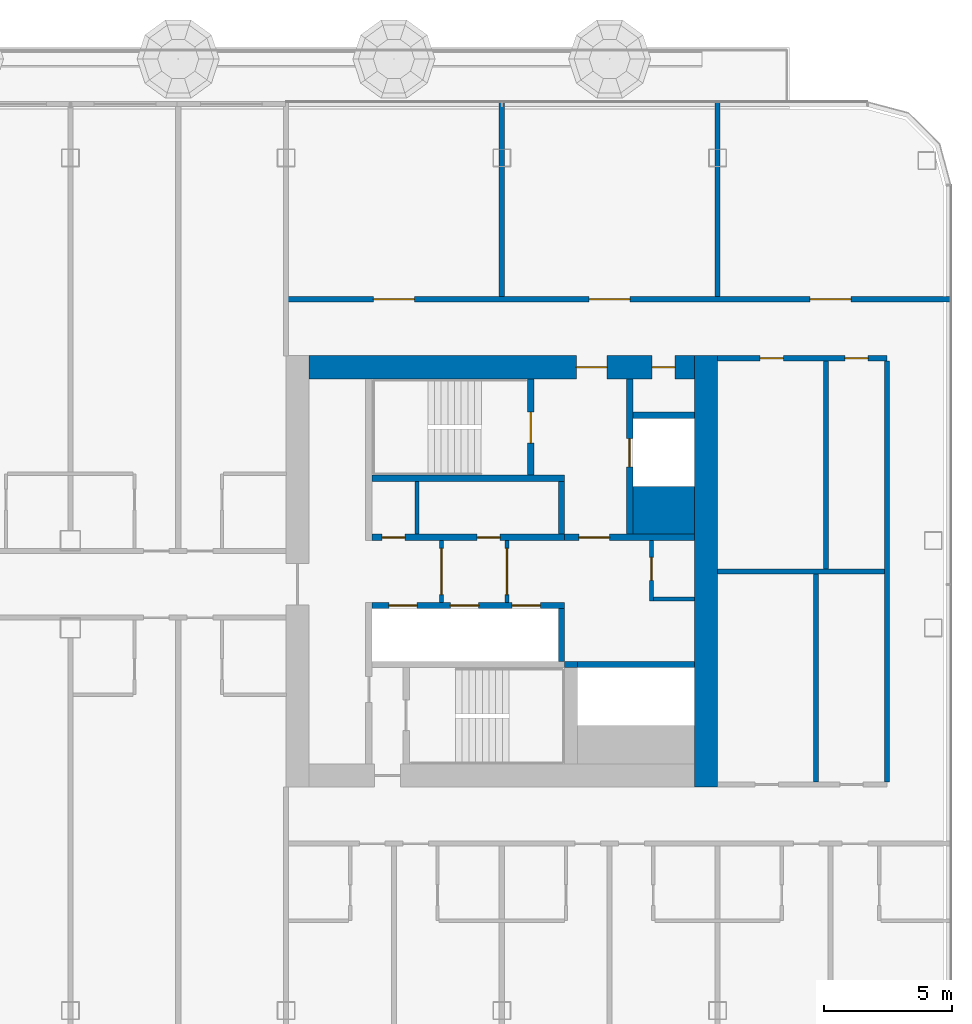
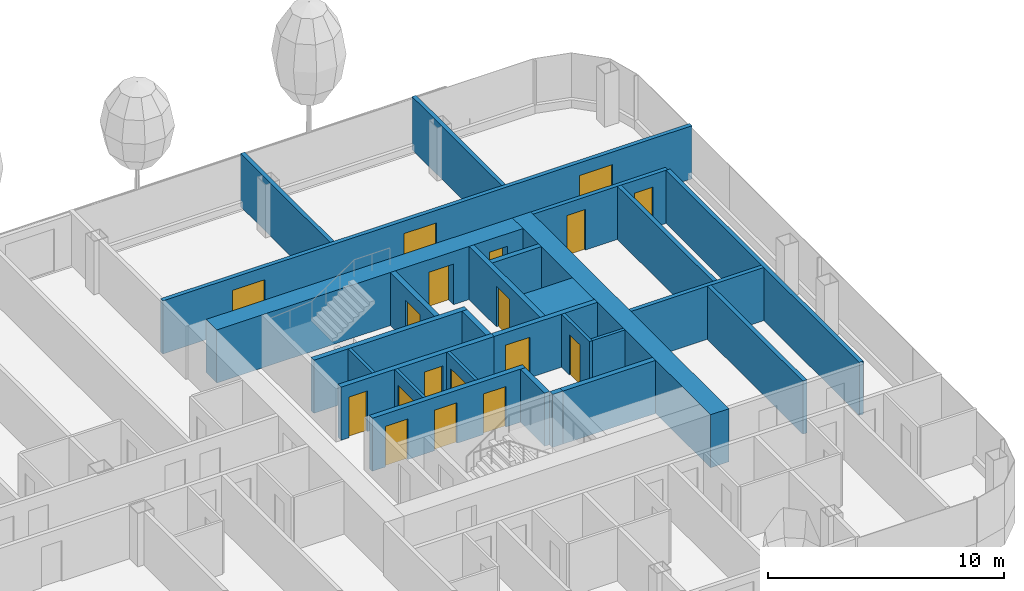
# One storey, part 18 of 32: 27 walls, 18 doors, 18 openings.
"""IFC4 building model written with IfcOpenShell, lengths in metres."""

from ifc_helpers import new_model, si_unit, direction, frame, frame_2d, origin, place, context, subcontext, project, spatial, rectangle, extrude, material, layer, layer_set, type_object, element, fill, save


model = new_model("IFC4")

# Units and contexts
model_context = context("Model", 3, precision=1e-05, world=origin(), true_north=direction((0.0, 1.0)))
body_context = subcontext(model_context, "Body", "Model", "MODEL_VIEW")
ifc_project = project(units=[si_unit("LENGTHUNIT", "METRE"), si_unit("AREAUNIT", "SQUARE_METRE"), si_unit("VOLUMEUNIT", "CUBIC_METRE"), si_unit("PLANEANGLEUNIT", "RADIAN"), si_unit("MASSUNIT", "GRAM", prefix="KILO")], contexts=[model_context])

# Site, building, storey
site_placement = place(None, origin())
site = spatial("IfcSite", under=ifc_project, at=site_placement, CompositionType="ELEMENT")
building_placement = place(site_placement, origin())
building = spatial("IfcBuilding", under=site, at=building_placement, Name="Hakoniwa Tower and Hamabe Station Hall", CompositionType="ELEMENT")
storey_placement = place(building_placement, frame((0.0, 0.0, 150.199951171875)))
storey = spatial("IfcBuildingStorey", under=building, at=storey_placement, Name="L42", CompositionType="ELEMENT", Elevation=150.199951171875)

# Wall, opening, door
ifc_material_1 = material(Name="Gypsum board partition")
ifc_layer_1 = layer(ifc_material_1, 0.14990234375)
ifc_layer_set_1 = layer_set([ifc_layer_1], Name="CORE PARTITION 150 EI 60")
wall_type_1 = type_object("IfcWallType", Name="CORE PARTITION 150 EI 60", PredefinedType="PARTITIONING", material=ifc_layer_set_1)
wall_1_placement = place(storey_placement, frame((22.85009765625, -1.199951171875, 0.0), z_axis=(0.0, 0.0, 1.0), x_axis=(0.0, 1.0, 0.0)))
wall_1 = element("IfcWall", 1, at=wall_1_placement, inside=storey, type_object=wall_type_1, Name="Core partition PL0 east", PredefinedType="PARTITIONING", context=body_context, shape_type="SweptSolid", body=[
    extrude(rectangle(XDim=2.39990234375, YDim=0.14990234375, at=frame_2d((1.199951171875, 0.0))), origin(), (0.0, 0.0, 1.0), 2.75),
])
opening_1_placement = place(wall_1_placement, frame((0.300048828125, 0.0, 0.0)))
opening_1 = element("IfcOpeningElement", 2, at=opening_1_placement, cuts=wall_1, Name="Opening CD-E-LP0-18", PredefinedType="OPENING", context=body_context, shape_type="SweptSolid", body=[
    extrude(rectangle(XDim=1.800048828125, YDim=2.10009765625, at=frame_2d((0.89990234375, 1.050048828125))), frame((0.0, 0.0849609375, 0.0), z_axis=(0.0, -1.0, 0.0), x_axis=(1.0, 0.0, 0.0)), (0.0, 0.0, 1.0), 0.169921875),
])
ifc_material_2 = material(Name="Steel fire door", Category="steel")
door_type_1 = type_object("IfcDoorType", Name="CORE DOOR 1800 FD60", OperationType="DOUBLE_DOOR_SINGLE_SWING", PredefinedType="DOOR", material=ifc_material_2)
door_1_placement = place(opening_1_placement, origin())
door_1 = element("IfcDoor", 3, at=door_1_placement, inside=storey, type_object=door_type_1, Name="Lift lobby partition door", OperationType="DOUBLE_DOOR_SINGLE_SWING", OverallHeight=2.10009765625, OverallWidth=1.800048828125, PredefinedType="DOOR", context=body_context, shape_type="SweptSolid", body=[
    extrude(rectangle(XDim=1.800048828125, YDim=2.10009765625, at=frame_2d((0.89990234375, 1.050048828125))), frame((0.0, 0.02490234375, 0.0), z_axis=(0.0, -1.0, 0.0), x_axis=(1.0, 0.0, 0.0)), (0.0, 0.0, 1.0), 0.050048828125),
])
fill(opening_1, door_1)

wall_2_placement = place(storey_placement, frame((25.39990234375, -1.199951171875, 0.0), z_axis=(0.0, 0.0, 1.0), x_axis=(0.0, 1.0, 0.0)))
wall_2 = element("IfcWall", 4, at=wall_2_placement, inside=storey, type_object=wall_type_1, Name="Core partition PL1 east", PredefinedType="PARTITIONING", context=body_context, shape_type="SweptSolid", body=[
    extrude(rectangle(XDim=2.39990234375, YDim=0.14990234375, at=frame_2d((1.199951171875, 0.0))), origin(), (0.0, 0.0, 1.0), 2.75),
])
opening_2_placement = place(wall_2_placement, frame((0.300048828125, 0.0, 0.0)))
opening_2 = element("IfcOpeningElement", 5, at=opening_2_placement, cuts=wall_2, Name="Opening CD-E-LP1-18", PredefinedType="OPENING", context=body_context, shape_type="SweptSolid", body=[
    extrude(rectangle(XDim=1.800048828125, YDim=2.10009765625, at=frame_2d((0.89990234375, 1.050048828125))), frame((0.0, 0.0849609375, 0.0), z_axis=(0.0, -1.0, 0.0), x_axis=(1.0, 0.0, 0.0)), (0.0, 0.0, 1.0), 0.169921875),
])
door_2_placement = place(opening_2_placement, origin())
door_2 = element("IfcDoor", 6, at=door_2_placement, inside=storey, type_object=door_type_1, Name="Lift lobby partition door", OperationType="DOUBLE_DOOR_SINGLE_SWING", OverallHeight=2.10009765625, OverallWidth=1.800048828125, PredefinedType="DOOR", context=body_context, shape_type="SweptSolid", body=[
    extrude(rectangle(XDim=1.800048828125, YDim=2.10009765625, at=frame_2d((0.89990234375, 1.050048828125))), frame((0.0, 0.02490234375, 0.0), z_axis=(0.0, -1.0, 0.0), x_axis=(1.0, 0.0, 0.0)), (0.0, 0.0, 1.0), 0.050048828125),
])
fill(opening_2, door_2)

wall_3_placement = place(storey_placement, frame((31.02490234375, -1.14990234375, 0.0), z_axis=(0.0, 0.0, 1.0), x_axis=(0.0, 1.0, 0.0)))
wall_3 = element("IfcWall", 7, at=wall_3_placement, inside=storey, type_object=wall_type_1, Name="Core partition PW0 east", PredefinedType="PARTITIONING", context=body_context, shape_type="SweptSolid", body=[
    extrude(rectangle(XDim=2.349853515625, YDim=0.14990234375, at=frame_2d((1.1748046875, 0.0))), origin(), (0.0, 0.0, 1.0), 2.75),
])
opening_3_placement = place(wall_3_placement, frame((0.800048828125, 0.0, 0.0)))
opening_3 = element("IfcOpeningElement", 8, at=opening_3_placement, cuts=wall_3, Name="Opening CD-E-RM1-9", PredefinedType="OPENING", context=body_context, shape_type="SweptSolid", body=[
    extrude(rectangle(XDim=0.89990234375, YDim=2.10009765625, at=frame_2d((0.449951171875, 1.050048828125))), frame((0.0, 0.0849609375, 0.0), z_axis=(0.0, -1.0, 0.0), x_axis=(1.0, 0.0, 0.0)), (0.0, 0.0, 1.0), 0.169921875),
])
ifc_material_3 = material(Name="Steel fire door", Category="steel")
door_type_2 = type_object("IfcDoorType", Name="CORE DOOR 900 FD30", OperationType="NOTDEFINED", PredefinedType="DOOR", material=ifc_material_3)
door_3_placement = place(opening_3_placement, origin())
door_3 = element("IfcDoor", 9, at=door_3_placement, inside=storey, type_object=door_type_2, Name="Store room door", OperationType="SINGLE_SWING_LEFT", OverallHeight=2.10009765625, OverallWidth=0.89990234375, PredefinedType="DOOR", context=body_context, shape_type="SweptSolid", body=[
    extrude(rectangle(XDim=0.89990234375, YDim=2.10009765625, at=frame_2d((0.449951171875, 1.050048828125))), frame((0.0, 0.02490234375, 0.0), z_axis=(0.0, -1.0, 0.0), x_axis=(1.0, 0.0, 0.0)), (0.0, 0.0, 1.0), 0.050048828125),
])
fill(opening_3, door_3)

# Walls
wall_4_placement = place(storey_placement, frame((31.10009765625, -1.074951171875, 0.0), z_axis=(0.0, 0.0, 1.0), x_axis=(1.0, 0.0, 0.0)))
element("IfcWall", 10, at=wall_4_placement, inside=storey, type_object=wall_type_1, Name="Core partition PS east", PredefinedType="PARTITIONING", context=body_context, shape_type="SweptSolid", body=[
    extrude(rectangle(XDim=1.599853515625, YDim=0.14990234375, at=frame_2d((0.7998046875, 0.0))), origin(), (0.0, 0.0, 1.0), 2.75),
])
wall_5_placement = place(storey_placement, frame((21.89990234375, 1.449951171875, 0.0), z_axis=(0.0, 0.0, 1.0), x_axis=(0.0, 1.0, 0.0)))
element("IfcWall", 11, at=wall_5_placement, inside=storey, type_object=wall_type_1, Name="Core partition PFLR0 east", PredefinedType="PARTITIONING", context=body_context, shape_type="SweptSolid", body=[
    extrude(rectangle(XDim=2.050048828125, YDim=0.14990234375, at=frame_2d((1.02490234375, 0.0))), origin(), (0.0, 0.0, 1.0), 2.75),
])
ifc_material_4 = material(Name="Concrete C66", Category="concrete")
ifc_layer_2 = layer(ifc_material_4, 0.89990234375)
ifc_layer_set_2 = layer_set([ifc_layer_2], Name="CORE WALL 900 C66")
wall_type_2 = type_object("IfcWallType", Name="CORE WALL 900 C66", PredefinedType="SHEAR", material=ifc_layer_set_2)
wall_6_placement = place(storey_placement, frame((33.14990234375, -8.39990234375, 0.0), z_axis=(0.0, 0.0, 1.0), x_axis=(0.0, 1.0, 0.0)))
element("IfcWall", 12, at=wall_6_placement, inside=storey, type_object=wall_type_2, Name="Core wall OUTER east", PredefinedType="SHEAR", context=body_context, shape_type="SweptSolid", body=[
    extrude(rectangle(XDim=16.7998046875, YDim=0.89990234375, at=frame_2d((8.39990234375, 0.0))), origin(), (0.0, 0.0, 1.0), 2.75),
])

# Wall, openings, doors
wall_7_placement = place(storey_placement, frame((17.699951171875, 7.949951171875, 0.0), z_axis=(0.0, 0.0, 1.0), x_axis=(1.0, 0.0, 0.0)))
wall_7 = element("IfcWall", 13, at=wall_7_placement, inside=storey, type_object=wall_type_2, Name="Core wall NORTH east", PredefinedType="SHEAR", context=body_context, shape_type="SweptSolid", body=[
    extrude(rectangle(XDim=15.0, YDim=0.89990234375, at=frame_2d((7.5, 0.0))), origin(), (0.0, 0.0, 1.0), 2.75),
])
opening_4_placement = place(wall_7_placement, frame((10.39990234375, 0.0, 0.0)))
opening_4 = element("IfcOpeningElement", 14, at=opening_4_placement, cuts=wall_7, Name="Opening CD-E-FN1-12", PredefinedType="OPENING", context=body_context, shape_type="SweptSolid", body=[
    extrude(rectangle(XDim=1.199951171875, YDim=2.10009765625, at=frame_2d((0.60009765625, 1.050048828125))), frame((0.0, 0.4599609375, 0.0), z_axis=(0.0, -1.0, 0.0), x_axis=(1.0, 0.0, 0.0)), (0.0, 0.0, 1.0), 0.919921875),
])
opening_5_placement = place(wall_7_placement, frame((13.35009765625, 0.0, 0.0)))
opening_5 = element("IfcOpeningElement", 15, at=opening_5_placement, cuts=wall_7, Name="Opening CD-E-FN2-9", PredefinedType="OPENING", context=body_context, shape_type="SweptSolid", body=[
    extrude(rectangle(XDim=0.89990234375, YDim=2.10009765625, at=frame_2d((0.449951171875, 1.050048828125))), frame((0.0, 0.4599609375, 0.0), z_axis=(0.0, -1.0, 0.0), x_axis=(1.0, 0.0, 0.0)), (0.0, 0.0, 1.0), 0.919921875),
])
ifc_material_5 = material(Name="Steel fire door", Category="steel")
door_type_3 = type_object("IfcDoorType", Name="CORE DOOR 1200 FD60", OperationType="DOUBLE_DOOR_SINGLE_SWING", PredefinedType="DOOR", material=ifc_material_5)
door_4_placement = place(opening_4_placement, origin())
door_4 = element("IfcDoor", 16, at=door_4_placement, inside=storey, type_object=door_type_3, Name="Stair vestibule door to the fire-fighting lobby", OperationType="DOUBLE_DOOR_SINGLE_SWING", OverallHeight=2.10009765625, OverallWidth=1.199951171875, PredefinedType="DOOR", context=body_context, shape_type="SweptSolid", body=[
    extrude(rectangle(XDim=1.199951171875, YDim=2.10009765625, at=frame_2d((0.60009765625, 1.050048828125))), frame((0.0, 0.02490234375, 0.0), z_axis=(0.0, -1.0, 0.0), x_axis=(1.0, 0.0, 0.0)), (0.0, 0.0, 1.0), 0.050048828125),
])
fill(opening_4, door_4)
door_5_placement = place(opening_5_placement, origin())
door_5 = element("IfcDoor", 17, at=door_5_placement, inside=storey, type_object=door_type_2, Name="Riser access door", OperationType="SINGLE_SWING_LEFT", OverallHeight=2.10009765625, OverallWidth=0.89990234375, PredefinedType="DOOR", context=body_context, shape_type="SweptSolid", body=[
    extrude(rectangle(XDim=0.89990234375, YDim=2.10009765625, at=frame_2d((0.449951171875, 1.050048828125))), frame((0.0, 0.02490234375, 0.0), z_axis=(0.0, -1.0, 0.0), x_axis=(1.0, 0.0, 0.0)), (0.0, 0.0, 1.0), 0.050048828125),
])
fill(opening_5, door_5)

# Wall
ifc_material_6 = material(Name="Concrete C66", Category="concrete")
ifc_layer_3 = layer(ifc_material_6, 1.85009765625)
ifc_layer_set_3 = layer_set([ifc_layer_3], Name="CORE WEB WALL 1850 C66")
wall_type_3 = type_object("IfcWallType", Name="CORE WEB WALL 1850 C66", PredefinedType="SHEAR", material=ifc_layer_set_3)
wall_8_placement = place(storey_placement, frame((30.300048828125, 2.375, 0.0), z_axis=(0.0, 0.0, 1.0), x_axis=(1.0, 0.0, 0.0)))
element("IfcWall", 18, at=wall_8_placement, inside=storey, type_object=wall_type_3, Name="Core wall CA east", PredefinedType="SHEAR", context=body_context, shape_type="SweptSolid", body=[
    extrude(rectangle(XDim=2.39990234375, YDim=1.85009765625, at=frame_2d((1.199951171875, 0.0))), origin(), (0.0, 0.0, 1.0), 2.75),
])

# Wall, openings, doors
ifc_material_7 = material(Name="Concrete C66", Category="concrete")
ifc_layer_4 = layer(ifc_material_7, 0.25)
ifc_layer_set_4 = layer_set([ifc_layer_4], Name="CORE WEB WALL 250 C66")
wall_type_4 = type_object("IfcWallType", Name="CORE WEB WALL 250 C66", PredefinedType="SHEAR", material=ifc_layer_set_4)
wall_9_placement = place(storey_placement, frame((20.14990234375, 1.324951171875, 0.0), z_axis=(0.0, 0.0, 1.0), x_axis=(1.0, 0.0, 0.0)))
wall_9 = element("IfcWall", 19, at=wall_9_placement, inside=storey, type_object=wall_type_4, Name="Core wall NF east", PredefinedType="SHEAR", context=body_context, shape_type="SweptSolid", body=[
    extrude(rectangle(XDim=7.5, YDim=0.25, at=frame_2d((3.75, 0.0))), origin(), (0.0, 0.0, 1.0), 2.75),
])
opening_6_placement = place(wall_9_placement, frame((0.387451171875, 0.0, 0.0)))
opening_6 = element("IfcOpeningElement", 20, at=opening_6_placement, cuts=wall_9, Name="Opening CD-E-FRLR0-9", PredefinedType="OPENING", context=body_context, shape_type="SweptSolid", body=[
    extrude(rectangle(XDim=0.89990234375, YDim=2.10009765625, at=frame_2d((0.449951171875, 1.050048828125))), frame((0.0, 0.135009765625, 0.0), z_axis=(0.0, -1.0, 0.0), x_axis=(1.0, 0.0, 0.0)), (0.0, 0.0, 1.0), 0.27001953125),
])
opening_7_placement = place(wall_9_placement, frame((4.08740234375, 0.0, 0.0)))
opening_7 = element("IfcOpeningElement", 21, at=opening_7_placement, cuts=wall_9, Name="Opening CD-E-FRLR1-9", PredefinedType="OPENING", context=body_context, shape_type="SweptSolid", body=[
    extrude(rectangle(XDim=0.89990234375, YDim=2.10009765625, at=frame_2d((0.449951171875, 1.050048828125))), frame((0.0, 0.135009765625, 0.0), z_axis=(0.0, -1.0, 0.0), x_axis=(1.0, 0.0, 0.0)), (0.0, 0.0, 1.0), 0.27001953125),
])
door_6_placement = place(opening_6_placement, origin())
door_6 = element("IfcDoor", 22, at=door_6_placement, inside=storey, type_object=door_type_2, Name="Store room door", OperationType="SINGLE_SWING_LEFT", OverallHeight=2.10009765625, OverallWidth=0.89990234375, PredefinedType="DOOR", context=body_context, shape_type="SweptSolid", body=[
    extrude(rectangle(XDim=0.89990234375, YDim=2.10009765625, at=frame_2d((0.449951171875, 1.050048828125))), frame((0.0, 0.02490234375, 0.0), z_axis=(0.0, -1.0, 0.0), x_axis=(1.0, 0.0, 0.0)), (0.0, 0.0, 1.0), 0.050048828125),
])
fill(opening_6, door_6)
door_7_placement = place(opening_7_placement, origin())
door_7 = element("IfcDoor", 23, at=door_7_placement, inside=storey, type_object=door_type_2, Name="Store room door", OperationType="SINGLE_SWING_RIGHT", OverallHeight=2.10009765625, OverallWidth=0.89990234375, PredefinedType="DOOR", context=body_context, shape_type="SweptSolid", body=[
    extrude(rectangle(XDim=0.89990234375, YDim=2.10009765625, at=frame_2d((0.449951171875, 1.050048828125))), frame((0.0, 0.02490234375, 0.0), z_axis=(0.0, -1.0, 0.0), x_axis=(1.0, 0.0, 0.0)), (0.0, 0.0, 1.0), 0.050048828125),
])
fill(opening_7, door_7)

# Walls
wall_10_placement = place(storey_placement, frame((27.52490234375, 1.449951171875, 0.0), z_axis=(0.0, 0.0, 1.0), x_axis=(0.0, 1.0, 0.0)))
element("IfcWall", 24, at=wall_10_placement, inside=storey, type_object=wall_type_4, Name="Core wall NE east", PredefinedType="SHEAR", context=body_context, shape_type="SweptSolid", body=[
    extrude(rectangle(XDim=2.050048828125, YDim=0.25, at=frame_2d((1.02490234375, 0.0))), origin(), (0.0, 0.0, 1.0), 2.75),
])
wall_11_placement = place(storey_placement, frame((20.14990234375, 3.625, 0.0), z_axis=(0.0, 0.0, 1.0), x_axis=(1.0, 0.0, 0.0)))
element("IfcWall", 25, at=wall_11_placement, inside=storey, type_object=wall_type_4, Name="Core wall NR east", PredefinedType="SHEAR", context=body_context, shape_type="SweptSolid", body=[
    extrude(rectangle(XDim=7.5, YDim=0.25, at=frame_2d((3.75, 0.0))), origin(), (0.0, 0.0, 1.0), 2.75),
])

# Wall, opening, door
wall_12_placement = place(storey_placement, frame((26.324951171875, 3.75, 0.0), z_axis=(0.0, 0.0, 1.0), x_axis=(0.0, 1.0, 0.0)))
wall_12 = element("IfcWall", 26, at=wall_12_placement, inside=storey, type_object=wall_type_4, Name="Core wall NSE east", PredefinedType="SHEAR", context=body_context, shape_type="SweptSolid", body=[
    extrude(rectangle(XDim=3.75, YDim=0.25, at=frame_2d((1.875, 0.0))), origin(), (0.0, 0.0, 1.0), 2.75),
])
opening_8_placement = place(wall_12_placement, frame((1.25, 0.0, 0.0)))
opening_8 = element("IfcOpeningElement", 27, at=opening_8_placement, cuts=wall_12, Name="Opening CD-E-SN-12", PredefinedType="OPENING", context=body_context, shape_type="SweptSolid", body=[
    extrude(rectangle(XDim=1.199951171875, YDim=2.10009765625, at=frame_2d((0.60009765625, 1.050048828125))), frame((0.0, 0.135009765625, 0.0), z_axis=(0.0, -1.0, 0.0), x_axis=(1.0, 0.0, 0.0)), (0.0, 0.0, 1.0), 0.27001953125),
])
door_8_placement = place(opening_8_placement, origin())
door_8 = element("IfcDoor", 28, at=door_8_placement, inside=storey, type_object=door_type_3, Name="Escape stair door", OperationType="DOUBLE_DOOR_SINGLE_SWING", OverallHeight=2.10009765625, OverallWidth=1.199951171875, PredefinedType="DOOR", context=body_context, shape_type="SweptSolid", body=[
    extrude(rectangle(XDim=1.199951171875, YDim=2.10009765625, at=frame_2d((0.60009765625, 1.050048828125))), frame((0.0, 0.02490234375, 0.0), z_axis=(0.0, -1.0, 0.0), x_axis=(1.0, 0.0, 0.0)), (0.0, 0.0, 1.0), 0.050048828125),
])
fill(opening_8, door_8)

wall_13_placement = place(storey_placement, frame((27.64990234375, 1.324951171875, 0.0), z_axis=(0.0, 0.0, 1.0), x_axis=(1.0, 0.0, 0.0)))
wall_13 = element("IfcWall", 29, at=wall_13_placement, inside=storey, type_object=wall_type_4, Name="Core wall ELN east", PredefinedType="SHEAR", context=body_context, shape_type="SweptSolid", body=[
    extrude(rectangle(XDim=5.050048828125, YDim=0.25, at=frame_2d((2.52490234375, 0.0))), origin(), (0.0, 0.0, 1.0), 2.75),
])
opening_9_placement = place(wall_13_placement, frame((0.550048828125, 0.0, 0.0)))
opening_9 = element("IfcOpeningElement", 30, at=opening_9_placement, cuts=wall_13, Name="Opening CD-E-FL-12", PredefinedType="OPENING", context=body_context, shape_type="SweptSolid", body=[
    extrude(rectangle(XDim=1.199951171875, YDim=2.10009765625, at=frame_2d((0.60009765625, 1.050048828125))), frame((0.0, 0.135009765625, 0.0), z_axis=(0.0, -1.0, 0.0), x_axis=(1.0, 0.0, 0.0)), (0.0, 0.0, 1.0), 0.27001953125),
])
door_9_placement = place(opening_9_placement, origin())
door_9 = element("IfcDoor", 31, at=door_9_placement, inside=storey, type_object=door_type_3, Name="Stair vestibule door to the fire-fighting lobby", OperationType="DOUBLE_DOOR_SINGLE_SWING", OverallHeight=2.10009765625, OverallWidth=1.199951171875, PredefinedType="DOOR", context=body_context, shape_type="SweptSolid", body=[
    extrude(rectangle(XDim=1.199951171875, YDim=2.10009765625, at=frame_2d((0.60009765625, 1.050048828125))), frame((0.0, 0.02490234375, 0.0), z_axis=(0.0, -1.0, 0.0), x_axis=(1.0, 0.0, 0.0)), (0.0, 0.0, 1.0), 0.050048828125),
])
fill(opening_9, door_9)

wall_14_placement = place(storey_placement, frame((30.175048828125, 1.449951171875, 0.0), z_axis=(0.0, 0.0, 1.0), x_axis=(0.0, 1.0, 0.0)))
wall_14 = element("IfcWall", 32, at=wall_14_placement, inside=storey, type_object=wall_type_4, Name="Core wall FFF east", PredefinedType="SHEAR", context=body_context, shape_type="SweptSolid", body=[
    extrude(rectangle(XDim=6.050048828125, YDim=0.25, at=frame_2d((3.02490234375, 0.0))), origin(), (0.0, 0.0, 1.0), 2.75),
])
opening_10_placement = place(wall_14_placement, frame((2.625, 0.0, 0.0)))
opening_10 = element("IfcOpeningElement", 33, at=opening_10_placement, cuts=wall_14, Name="Opening LD-FF2", PredefinedType="OPENING", context=body_context, shape_type="SweptSolid", body=[
    extrude(rectangle(XDim=1.10009765625, YDim=2.10009765625, at=frame_2d((0.550048828125, 1.050048828125))), frame((0.0, 0.135009765625, 0.0), z_axis=(0.0, -1.0, 0.0), x_axis=(1.0, 0.0, 0.0)), (0.0, 0.0, 1.0), 0.27001953125),
])
ifc_material_8 = material(Name="Stainless steel SUS304", Category="steel")
door_type_4 = type_object("IfcDoorType", Name="LIFT LANDING DOOR 1100 FD60", OperationType="DOUBLE_DOOR_SLIDING", PredefinedType="DOOR", material=ifc_material_8)
door_10_placement = place(opening_10_placement, origin())
door_10 = element("IfcDoor", 34, at=door_10_placement, inside=storey, type_object=door_type_4, Name="Lift landing door FF2 L42", OperationType="DOUBLE_DOOR_SLIDING", OverallHeight=2.10009765625, OverallWidth=1.10009765625, PredefinedType="DOOR", context=body_context, shape_type="SweptSolid", body=[
    extrude(rectangle(XDim=1.10009765625, YDim=2.10009765625, at=frame_2d((0.550048828125, 1.050048828125))), frame((0.0, 0.02490234375, 0.0), z_axis=(0.0, -1.0, 0.0), x_axis=(1.0, 0.0, 0.0)), (0.0, 0.0, 1.0), 0.050048828125),
])
fill(opening_10, door_10)

# Wall
wall_15_placement = place(storey_placement, frame((30.300048828125, 6.074951171875, 0.0), z_axis=(0.0, 0.0, 1.0), x_axis=(1.0, 0.0, 0.0)))
element("IfcWall", 35, at=wall_15_placement, inside=storey, type_object=wall_type_4, Name="Core wall C2 east", PredefinedType="SHEAR", context=body_context, shape_type="SweptSolid", body=[
    extrude(rectangle(XDim=2.39990234375, YDim=0.25, at=frame_2d((1.199951171875, 0.0))), origin(), (0.0, 0.0, 1.0), 2.75),
])

# Wall, openings, doors
wall_16_placement = place(storey_placement, frame((20.14990234375, -1.324951171875, 0.0), z_axis=(0.0, 0.0, 1.0), x_axis=(1.0, 0.0, 0.0)))
wall_16 = element("IfcWall", 36, at=wall_16_placement, inside=storey, type_object=wall_type_4, Name="Core wall SF east", PredefinedType="SHEAR", context=body_context, shape_type="SweptSolid", body=[
    extrude(rectangle(XDim=7.5, YDim=0.25, at=frame_2d((3.75, 0.0))), origin(), (0.0, 0.0, 1.0), 2.75),
])
opening_11_placement = place(wall_16_placement, frame((0.64990234375, 0.0, 0.0)))
opening_11 = element("IfcOpeningElement", 37, at=opening_11_placement, cuts=wall_16, Name="Opening LD-HR4", PredefinedType="OPENING", context=body_context, shape_type="SweptSolid", body=[
    extrude(rectangle(XDim=1.10009765625, YDim=2.10009765625, at=frame_2d((0.550048828125, 1.050048828125))), frame((0.0, 0.135009765625, 0.0), z_axis=(0.0, -1.0, 0.0), x_axis=(1.0, 0.0, 0.0)), (0.0, 0.0, 1.0), 0.27001953125),
])
opening_12_placement = place(wall_16_placement, frame((3.050048828125, 0.0, 0.0)))
opening_12 = element("IfcOpeningElement", 38, at=opening_12_placement, cuts=wall_16, Name="Opening LD-HR5", PredefinedType="OPENING", context=body_context, shape_type="SweptSolid", body=[
    extrude(rectangle(XDim=1.10009765625, YDim=2.10009765625, at=frame_2d((0.550048828125, 1.050048828125))), frame((0.0, 0.135009765625, 0.0), z_axis=(0.0, -1.0, 0.0), x_axis=(1.0, 0.0, 0.0)), (0.0, 0.0, 1.0), 0.27001953125),
])
opening_13_placement = place(wall_16_placement, frame((5.449951171875, 0.0, 0.0)))
opening_13 = element("IfcOpeningElement", 39, at=opening_13_placement, cuts=wall_16, Name="Opening LD-HR6", PredefinedType="OPENING", context=body_context, shape_type="SweptSolid", body=[
    extrude(rectangle(XDim=1.10009765625, YDim=2.10009765625, at=frame_2d((0.550048828125, 1.050048828125))), frame((0.0, 0.135009765625, 0.0), z_axis=(0.0, -1.0, 0.0), x_axis=(1.0, 0.0, 0.0)), (0.0, 0.0, 1.0), 0.27001953125),
])
door_11_placement = place(opening_11_placement, origin())
door_11 = element("IfcDoor", 40, at=door_11_placement, inside=storey, type_object=door_type_4, Name="Lift landing door HR4 L42", OperationType="DOUBLE_DOOR_SLIDING", OverallHeight=2.10009765625, OverallWidth=1.10009765625, PredefinedType="DOOR", context=body_context, shape_type="SweptSolid", body=[
    extrude(rectangle(XDim=1.10009765625, YDim=2.10009765625, at=frame_2d((0.550048828125, 1.050048828125))), frame((0.0, 0.02490234375, 0.0), z_axis=(0.0, -1.0, 0.0), x_axis=(1.0, 0.0, 0.0)), (0.0, 0.0, 1.0), 0.050048828125),
])
fill(opening_11, door_11)
door_12_placement = place(opening_12_placement, origin())
door_12 = element("IfcDoor", 41, at=door_12_placement, inside=storey, type_object=door_type_4, Name="Lift landing door HR5 L42", OperationType="DOUBLE_DOOR_SLIDING", OverallHeight=2.10009765625, OverallWidth=1.10009765625, PredefinedType="DOOR", context=body_context, shape_type="SweptSolid", body=[
    extrude(rectangle(XDim=1.10009765625, YDim=2.10009765625, at=frame_2d((0.550048828125, 1.050048828125))), frame((0.0, 0.02490234375, 0.0), z_axis=(0.0, -1.0, 0.0), x_axis=(1.0, 0.0, 0.0)), (0.0, 0.0, 1.0), 0.050048828125),
])
fill(opening_12, door_12)
door_13_placement = place(opening_13_placement, origin())
door_13 = element("IfcDoor", 42, at=door_13_placement, inside=storey, type_object=door_type_4, Name="Lift landing door HR6 L42", OperationType="DOUBLE_DOOR_SLIDING", OverallHeight=2.10009765625, OverallWidth=1.10009765625, PredefinedType="DOOR", context=body_context, shape_type="SweptSolid", body=[
    extrude(rectangle(XDim=1.10009765625, YDim=2.10009765625, at=frame_2d((0.550048828125, 1.050048828125))), frame((0.0, 0.02490234375, 0.0), z_axis=(0.0, -1.0, 0.0), x_axis=(1.0, 0.0, 0.0)), (0.0, 0.0, 1.0), 0.050048828125),
])
fill(opening_13, door_13)

# Walls
wall_17_placement = place(storey_placement, frame((27.52490234375, -3.5, 0.0), z_axis=(0.0, 0.0, 1.0), x_axis=(0.0, 1.0, 0.0)))
element("IfcWall", 43, at=wall_17_placement, inside=storey, type_object=wall_type_4, Name="Core wall SE east", PredefinedType="SHEAR", context=body_context, shape_type="SweptSolid", body=[
    extrude(rectangle(XDim=2.050048828125, YDim=0.25, at=frame_2d((1.02490234375, 0.0))), origin(), (0.0, 0.0, 1.0), 2.75),
])
wall_18_placement = place(storey_placement, frame((28.14990234375, -3.625, 0.0), z_axis=(0.0, 0.0, 1.0), x_axis=(1.0, 0.0, 0.0)))
element("IfcWall", 44, at=wall_18_placement, inside=storey, type_object=wall_type_4, Name="Core wall SEF east", PredefinedType="SHEAR", context=body_context, shape_type="SweptSolid", body=[
    extrude(rectangle(XDim=4.550048828125, YDim=0.25, at=frame_2d((2.27490234375, 0.0))), origin(), (0.0, 0.0, 1.0), 2.75),
])
wall_19_placement = place(storey_placement, frame((27.64990234375, -3.625, 0.0), z_axis=(0.0, 0.0, 1.0), x_axis=(1.0, 0.0, 0.0)))
element("IfcWall", 45, at=wall_19_placement, inside=storey, type_object=wall_type_4, Name="Core wall SRK east", PredefinedType="SHEAR", context=body_context, shape_type="SweptSolid", body=[
    extrude(rectangle(XDim=0.5, YDim=0.25, at=frame_2d((0.25, 0.0))), origin(), (0.0, 0.0, 1.0), 2.75),
])

# Wall, openings, doors
ifc_material_9 = material(Name="Fire-rated gypsum board partition", Category="gypsum")
ifc_layer_5 = layer(ifc_material_9, 0.199951171875)
ifc_layer_set_5 = layer_set([ifc_layer_5], Name="Corridor Wall 200")
wall_type_5 = type_object("IfcWallType", Name="Corridor Wall 200", PredefinedType="PARTITIONING", material=ifc_layer_set_5)
wall_20_placement = place(storey_placement, frame((33.60009765625, 8.300048828125, 0.0), z_axis=(0.0, 0.0, 1.0), x_axis=(1.0, 0.0, 0.0)))
wall_20 = element("IfcWall", 46, at=wall_20_placement, inside=storey, type_object=wall_type_5, Name="GW-L42-028", PredefinedType="PARTITIONING", context=body_context, shape_type="SweptSolid", body=[
    extrude(rectangle(XDim=6.599853515625, YDim=0.199951171875, at=frame_2d((3.2998046875, 0.0))), origin(), (0.0, 0.0, 1.0), 2.75),
])
opening_14_placement = place(wall_20_placement, frame((1.659912109375, 0.0, 0.0)))
opening_14 = element("IfcOpeningElement", 47, at=opening_14_placement, cuts=wall_20, Name="Opening GD-G3B1-33", PredefinedType="OPENING", context=body_context, shape_type="SweptSolid", body=[
    extrude(rectangle(XDim=0.89990234375, YDim=2.10009765625, at=frame_2d((0.449951171875, 1.050048828125))), frame((0.0, 0.10986328125, 0.0), z_axis=(0.0, -1.0, 0.0), x_axis=(1.0, 0.0, 0.0)), (0.0, 0.0, 1.0), 0.219970703125),
])
opening_15_placement = place(wall_20_placement, frame((4.9599609375, 0.0, 0.0)))
opening_15 = element("IfcOpeningElement", 48, at=opening_15_placement, cuts=wall_20, Name="Opening GD-G3B1-34", PredefinedType="OPENING", context=body_context, shape_type="SweptSolid", body=[
    extrude(rectangle(XDim=0.89990234375, YDim=2.10009765625, at=frame_2d((0.449951171875, 1.050048828125))), frame((0.0, 0.10986328125, 0.0), z_axis=(0.0, -1.0, 0.0), x_axis=(1.0, 0.0, 0.0)), (0.0, 0.0, 1.0), 0.219970703125),
])
ifc_material_10 = material(Name="Timber door leaf", Category="wood")
door_type_5 = type_object("IfcDoorType", Name="Service Door 900", OperationType="SINGLE_SWING_LEFT", PredefinedType="DOOR", material=ifc_material_10)
door_14_placement = place(opening_14_placement, origin())
door_14 = element("IfcDoor", 49, at=door_14_placement, inside=storey, type_object=door_type_5, Name="Door GD-G3B1-33", OperationType="SINGLE_SWING_RIGHT", OverallHeight=2.10009765625, OverallWidth=0.89990234375, PredefinedType="DOOR", context=body_context, shape_type="SweptSolid", body=[
    extrude(rectangle(XDim=0.89990234375, YDim=2.10009765625, at=frame_2d((0.449951171875, 1.050048828125))), frame((0.0, 0.02490234375, 0.0), z_axis=(0.0, -1.0, 0.0), x_axis=(1.0, 0.0, 0.0)), (0.0, 0.0, 1.0), 0.050048828125),
])
fill(opening_14, door_14)
door_15_placement = place(opening_15_placement, origin())
door_15 = element("IfcDoor", 50, at=door_15_placement, inside=storey, type_object=door_type_5, Name="Door GD-G3B1-34", OperationType="SINGLE_SWING_RIGHT", OverallHeight=2.10009765625, OverallWidth=0.89990234375, PredefinedType="DOOR", context=body_context, shape_type="SweptSolid", body=[
    extrude(rectangle(XDim=0.89990234375, YDim=2.10009765625, at=frame_2d((0.449951171875, 1.050048828125))), frame((0.0, 0.02490234375, 0.0), z_axis=(0.0, -1.0, 0.0), x_axis=(1.0, 0.0, 0.0)), (0.0, 0.0, 1.0), 0.050048828125),
])
fill(opening_15, door_15)

wall_21_placement = place(storey_placement, frame((16.800048828125, 10.60009765625, 0.0), z_axis=(0.0, 0.0, 1.0), x_axis=(1.0, 0.0, 0.0)))
wall_21 = element("IfcWall", 51, at=wall_21_placement, inside=storey, type_object=wall_type_5, Name="GW-L42-030", PredefinedType="PARTITIONING", context=body_context, shape_type="SweptSolid", body=[
    extrude(rectangle(XDim=25.89990234375, YDim=0.199951171875, at=frame_2d((12.949951171875, 0.0))), origin(), (0.0, 0.0, 1.0), 2.75),
])
opening_16_placement = place(wall_21_placement, frame((3.39990234375, 0.0, 0.0)))
opening_16 = element("IfcOpeningElement", 52, at=opening_16_placement, cuts=wall_21, Name="Opening GD-G3B1-41", PredefinedType="OPENING", context=body_context, shape_type="SweptSolid", body=[
    extrude(rectangle(XDim=1.60009765625, YDim=2.10009765625, at=frame_2d((0.800048828125, 1.050048828125))), frame((0.0, 0.10986328125, 0.0), z_axis=(0.0, -1.0, 0.0), x_axis=(1.0, 0.0, 0.0)), (0.0, 0.0, 1.0), 0.219970703125),
])
opening_17_placement = place(wall_21_placement, frame((11.800048828125, 0.0, 0.0)))
opening_17 = element("IfcOpeningElement", 53, at=opening_17_placement, cuts=wall_21, Name="Opening GD-G3B1-42", PredefinedType="OPENING", context=body_context, shape_type="SweptSolid", body=[
    extrude(rectangle(XDim=1.60009765625, YDim=2.10009765625, at=frame_2d((0.800048828125, 1.050048828125))), frame((0.0, 0.10986328125, 0.0), z_axis=(0.0, -1.0, 0.0), x_axis=(1.0, 0.0, 0.0)), (0.0, 0.0, 1.0), 0.219970703125),
])
opening_18_placement = place(wall_21_placement, frame((20.39990234375, 0.0, 0.0)))
opening_18 = element("IfcOpeningElement", 54, at=opening_18_placement, cuts=wall_21, Name="Opening GD-G3B1-43", PredefinedType="OPENING", context=body_context, shape_type="SweptSolid", body=[
    extrude(rectangle(XDim=1.60009765625, YDim=2.10009765625, at=frame_2d((0.800048828125, 1.050048828125))), frame((0.0, 0.10986328125, 0.0), z_axis=(0.0, -1.0, 0.0), x_axis=(1.0, 0.0, 0.0)), (0.0, 0.0, 1.0), 0.219970703125),
])
ifc_material_11 = material(Name="Timber door leaf", Category="wood")
door_type_6 = type_object("IfcDoorType", Name="Double Door 1600", OperationType="DOUBLE_DOOR_SINGLE_SWING", PredefinedType="DOOR", material=ifc_material_11)
door_16_placement = place(opening_16_placement, origin())
door_16 = element("IfcDoor", 55, at=door_16_placement, inside=storey, type_object=door_type_6, Name="Door GD-G3B1-41", OperationType="DOUBLE_DOOR_SINGLE_SWING", OverallHeight=2.10009765625, OverallWidth=1.60009765625, PredefinedType="DOOR", context=body_context, shape_type="SweptSolid", body=[
    extrude(rectangle(XDim=1.60009765625, YDim=2.10009765625, at=frame_2d((0.800048828125, 1.050048828125))), frame((0.0, 0.02490234375, 0.0), z_axis=(0.0, -1.0, 0.0), x_axis=(1.0, 0.0, 0.0)), (0.0, 0.0, 1.0), 0.050048828125),
])
fill(opening_16, door_16)
door_17_placement = place(opening_17_placement, origin())
door_17 = element("IfcDoor", 56, at=door_17_placement, inside=storey, type_object=door_type_6, Name="Door GD-G3B1-42", OperationType="DOUBLE_DOOR_SINGLE_SWING", OverallHeight=2.10009765625, OverallWidth=1.60009765625, PredefinedType="DOOR", context=body_context, shape_type="SweptSolid", body=[
    extrude(rectangle(XDim=1.60009765625, YDim=2.10009765625, at=frame_2d((0.800048828125, 1.050048828125))), frame((0.0, 0.02490234375, 0.0), z_axis=(0.0, -1.0, 0.0), x_axis=(1.0, 0.0, 0.0)), (0.0, 0.0, 1.0), 0.050048828125),
])
fill(opening_17, door_17)
door_18_placement = place(opening_18_placement, origin())
door_18 = element("IfcDoor", 57, at=door_18_placement, inside=storey, type_object=door_type_6, Name="Door GD-G3B1-43", OperationType="DOUBLE_DOOR_SINGLE_SWING", OverallHeight=2.10009765625, OverallWidth=1.60009765625, PredefinedType="DOOR", context=body_context, shape_type="SweptSolid", body=[
    extrude(rectangle(XDim=1.60009765625, YDim=2.10009765625, at=frame_2d((0.800048828125, 1.050048828125))), frame((0.0, 0.02490234375, 0.0), z_axis=(0.0, -1.0, 0.0), x_axis=(1.0, 0.0, 0.0)), (0.0, 0.0, 1.0), 0.050048828125),
])
fill(opening_18, door_18)

# Walls
ifc_material_12 = material(Name="Fire-rated gypsum board partition", Category="gypsum")
ifc_layer_6 = layer(ifc_material_12, 0.199951171875)
ifc_layer_set_6 = layer_set([ifc_layer_6], Name="Party Wall 200")
wall_type_6 = type_object("IfcWallType", Name="Party Wall 200", PredefinedType="PARTITIONING", material=ifc_layer_set_6)
wall_22_placement = place(storey_placement, frame((33.60009765625, 0.0, 0.0), z_axis=(0.0, 0.0, 1.0), x_axis=(1.0, 0.0, 0.0)))
element("IfcWall", 58, at=wall_22_placement, inside=storey, type_object=wall_type_6, Name="GW-L42-020", PredefinedType="PARTITIONING", context=body_context, shape_type="SweptSolid", body=[
    extrude(rectangle(XDim=6.5, YDim=0.199951171875, at=frame_2d((3.25, 0.0))), origin(), (0.0, 0.0, 1.0), 2.75),
])
for number, where, z_axis, x_axis, name in (
    (59, (25.199951171875, 10.699951171875, 0.0), (0.0, 0.0, 1.0), (0.0, 1.0, 0.0), "GW-L42-091"),
    (60, (33.60009765625, 10.699951171875, 0.0), (0.0, 0.0, 1.0), (0.0, 1.0, 0.0), "GW-L42-096"),
):
    element("IfcWall", number, at=place(storey_placement, frame(where, z_axis=z_axis, x_axis=x_axis)), inside=storey, type_object=wall_type_6, Name=name, PredefinedType="PARTITIONING", context=body_context, shape_type="SweptSolid", body=[
        extrude(rectangle(XDim=7.60009765625, YDim=0.199951171875, at=frame_2d((3.800048828125, 0.0))), origin(), (0.0, 0.0, 1.0), 2.75),
    ])
for number, where, z_axis, x_axis, name in (
    (61, (37.429931640625, -8.199951171875, 0.0), (0.0, 0.0, 1.0), (0.0, 1.0, 0.0), "GW-L42-098"),
    (62, (37.820068359375, 0.0, 0.0), (0.0, 0.0, 1.0), (0.0, 1.0, 0.0), "GW-L42-099"),
):
    element("IfcWall", number, at=place(storey_placement, frame(where, z_axis=z_axis, x_axis=x_axis)), inside=storey, type_object=wall_type_6, Name=name, PredefinedType="PARTITIONING", context=body_context, shape_type="SweptSolid", body=[
        extrude(rectangle(XDim=8.199951171875, YDim=0.199951171875, at=frame_2d((4.10009765625, 0.0))), origin(), (0.0, 0.0, 1.0), 2.75),
    ])
wall_23_placement = place(storey_placement, frame((40.199951171875, -8.199951171875, 0.0), z_axis=(0.0, 0.0, 1.0), x_axis=(0.0, 1.0, 0.0)))
element("IfcWall", 63, at=wall_23_placement, inside=storey, type_object=wall_type_6, Name="GW-L42-102", PredefinedType="PARTITIONING", context=body_context, shape_type="SweptSolid", body=[
    extrude(rectangle(XDim=16.39990234375, YDim=0.199951171875, at=frame_2d((8.199951171875, 0.0))), origin(), (0.0, 0.0, 1.0), 2.75),
])

save(model, "model.ifc")
